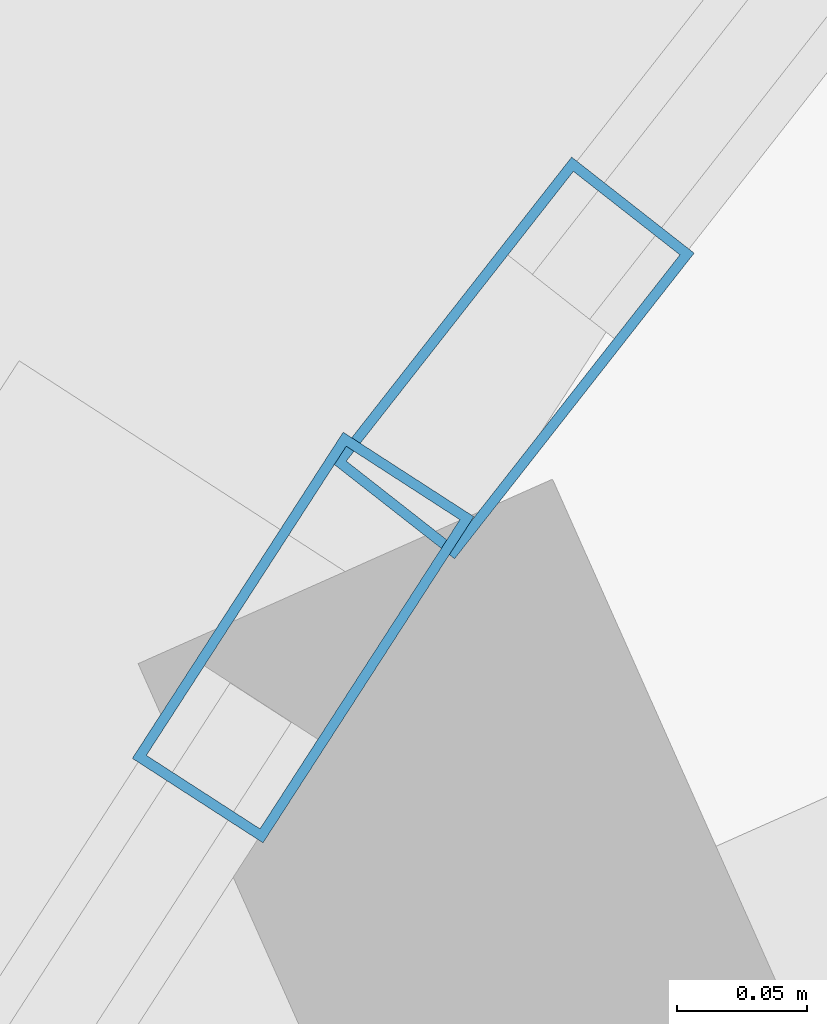
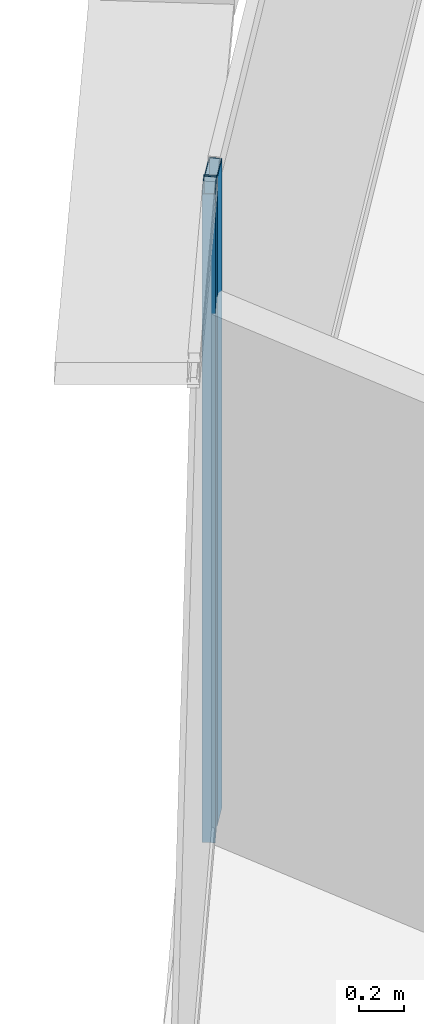
# One storey, part 18 of 37: 2 members, 2 elements without a shape of their own.
"""IFC4 building model written with IfcOpenShell, lengths in metres."""

from ifc_helpers import new_model, si_unit, direction, frame, origin, origin_2d, place, context, subcontext, project, spatial, hollow_rectangle, extrude, source, transform, mapped, material, layer, layer_set, material_profile, profile_set, type_object, element, aggregate, save


model = new_model("IFC4")

# Units and contexts
model_context = context("Model", 3, precision=1e-05, world=origin(), true_north=direction((0.0, 1.0)))
body_context = subcontext(model_context, "Body", "Model", "MODEL_VIEW")
ifc_project = project(units=[si_unit("LENGTHUNIT", "METRE"), si_unit("AREAUNIT", "SQUARE_METRE"), si_unit("VOLUMEUNIT", "CUBIC_METRE"), si_unit("PLANEANGLEUNIT", "RADIAN"), si_unit("MASSUNIT", "GRAM", prefix="KILO"), si_unit("THERMODYNAMICTEMPERATUREUNIT", "KELVIN"), si_unit("POWERUNIT", "WATT")], contexts=[model_context])

# Site, building, storey
site_placement = place(None, origin())
site = spatial("IfcSite", under=ifc_project, at=site_placement, CompositionType="ELEMENT")
building_placement = place(site_placement, origin())
building = spatial("IfcBuilding", under=site, at=building_placement, Name="Yunzhuo Pagoda Commons", CompositionType="ELEMENT")
storey_placement = place(building_placement, frame((0.0, 0.0, 196.159912109375)))
storey = spatial("IfcBuildingStorey", under=building, at=storey_placement, Name="L49", CompositionType="ELEMENT", Elevation=196.159912109375)

# Curtain wall, member
ifc_material = material(Name="Anodized aluminium 6063-T6", Category="aluminium")
ifc_layer = layer(ifc_material, 0.14990234375)
ifc_layer_set = layer_set([ifc_layer], Name="Anodized aluminium 6063-T6")
curtain_wall_type = type_object("IfcCurtainWallType", Name="CW-MID Mid-Zone Ribbon Curtain Wall", PredefinedType="NOTDEFINED", material=ifc_layer_set)
curtain_wall_1_placement = place(storey_placement, origin())
curtain_wall_1 = element("IfcCurtainWall", 1, at=curtain_wall_1_placement, inside=storey, type_object=curtain_wall_type, Name="L49 curtain wall CW-L49-F3B2", PredefinedType="NOTDEFINED")
ifc_material_profile = material_profile(ifc_material, hollow_rectangle(XDim=0.06005859375, YDim=0.14990234375, WallThickness=0.00390625, at=origin_2d()), Name="Anodized aluminium 6063-T6")
ifc_profile_set = profile_set([ifc_material_profile], Name="Anodized aluminium 6063-T6")
member_type = type_object("IfcMemberType", Name="CW-MID-M Mullion RHS 150x60x4", PredefinedType="MULLION", material=ifc_profile_set)
shared_shape = source(origin(), body_context, "Body", "SweptSolid", [
    extrude(hollow_rectangle(XDim=0.06005859375, YDim=0.14990234375, WallThickness=0.00390625, at=origin_2d()), origin(), (0.0, 0.0, 1.0), 3.5400390625),
])
member_1_placement = place(storey_placement, frame((32.418212890625, 68.635498046875, 0.0), z_axis=(0.0, 0.0, 1.0), x_axis=(0.839794048542, -0.542905107761, 0.0)))
member_1 = element("IfcMember", 2, at=member_1_placement, type_object=member_type, Name="CW mullion 1", PredefinedType="MULLION", context=body_context, shape_type="MappedRepresentation", body=[
    mapped(shared_shape, transform((0.0, 0.0, 0.0), scale=1.0)),
])
aggregate(curtain_wall_1, [member_1])

curtain_wall_2_placement = place(storey_placement, origin())
curtain_wall_2 = element("IfcCurtainWall", 3, at=curtain_wall_2_placement, inside=storey, type_object=curtain_wall_type, Name="L49 curtain wall CW-L49-F3B1", PredefinedType="NOTDEFINED")
member_2_placement = place(storey_placement, frame((32.499267578125, 68.743408203125, 0.0), z_axis=(0.0, 0.0, 1.0), x_axis=(0.787049910454, -0.616889324316, 0.0)))
member_2 = element("IfcMember", 4, at=member_2_placement, type_object=member_type, Name="CW mullion 2", PredefinedType="MULLION", context=body_context, shape_type="MappedRepresentation", body=[
    mapped(shared_shape, transform((0.0, 0.0, 0.0), scale=1.0)),
])
aggregate(curtain_wall_2, [member_2])

save(model, "model.ifc")
